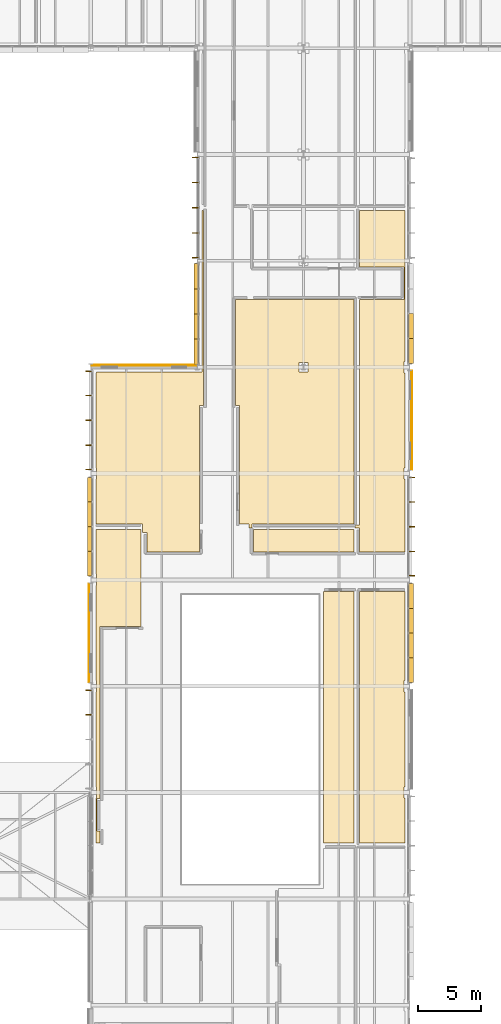
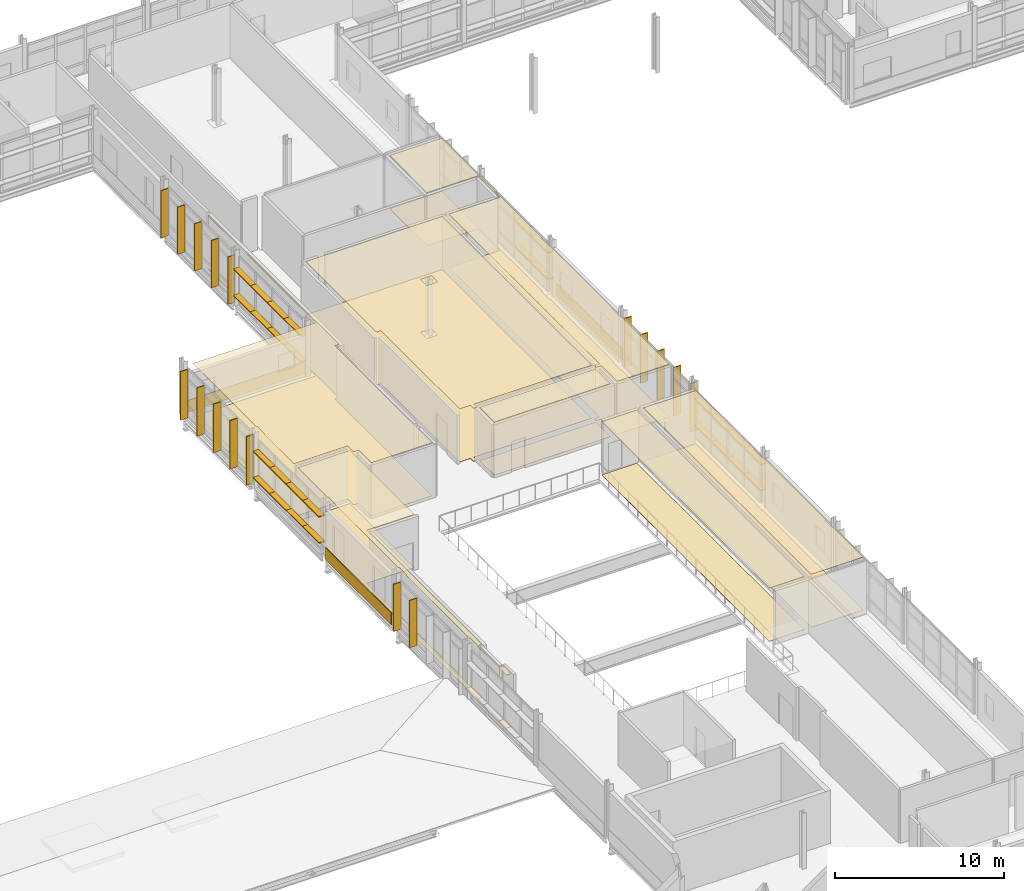
# One storey, part 143 of 151: 45 shading devices, 17 coverings.
"""IFC4 building model written with IfcOpenShell, lengths in metres."""

from ifc_helpers import new_model, si_unit, direction, frame, origin, origin_2d, place, context, subcontext, project, spatial, polyline, rectangle, outline, extrude, material, layer, layer_set, type_object, element, save


model = new_model("IFC4")

# Units and contexts
model_context = context("Model", 3, precision=1e-05, world=origin(), true_north=direction((0.0, 1.0)))
body_context = subcontext(model_context, "Body", "Model", "MODEL_VIEW")
ifc_project = project(units=[si_unit("LENGTHUNIT", "METRE"), si_unit("AREAUNIT", "SQUARE_METRE"), si_unit("VOLUMEUNIT", "CUBIC_METRE"), si_unit("PLANEANGLEUNIT", "RADIAN"), si_unit("MASSUNIT", "GRAM", prefix="KILO")], contexts=[model_context])

# Site, building, storey
site_placement = place(None, origin())
site = spatial("IfcSite", under=ifc_project, at=site_placement, CompositionType="ELEMENT")
building_placement = place(site_placement, origin())
building = spatial("IfcBuilding", under=site, at=building_placement, Name="Mersafa Astral City Hall", CompositionType="ELEMENT")
storey_placement = place(building_placement, frame((0.0, 0.0, 9.89990234375)))
storey = spatial("IfcBuildingStorey", under=building, at=storey_placement, Name="L02", CompositionType="ELEMENT", Elevation=9.89990234375)

# Coverings
ifc_material_1 = material(Name="Cairo Mokattam buff limestone cladding", Category="masonry")
ifc_layer_1 = layer(ifc_material_1, 0.06005859375, Name="Cairo Mokattam buff limestone cladding")
ifc_layer_set_1 = layer_set([ifc_layer_1], Name="Cairo Mokattam buff limestone cladding — ENV-COV-LIMESTONE-60")
covering_type_1 = type_object("IfcCoveringType", Name="ENV-COV-LIMESTONE-60", PredefinedType="CLADDING", material=ifc_layer_set_1)
covering_1_placement = place(storey_placement, frame((117.739501953125, 88.199951171875, 0.0), z_axis=(0.0, 0.0, 1.0), x_axis=(0.0, 1.0, 0.0)))
element("IfcCovering", 1, at=covering_1_placement, inside=storey, type_object=covering_type_1, Name="L02 Cairo buff limestone rainscreen cladding 160", PredefinedType="CLADDING", context=body_context, shape_type="SweptSolid", body=[
    extrude(rectangle(XDim=7.798095703125, YDim=0.06005859375, at=origin_2d()), origin(), (0.0, 0.0, 1.0), 0.860107421875),
])
covering_2_placement = place(storey_placement, frame((96.60009765625, 92.554443359375, 0.0), z_axis=(0.0, 0.0, 1.0), x_axis=(-1.0, 0.0, 0.0)))
element("IfcCovering", 2, at=covering_2_placement, inside=storey, type_object=covering_type_1, Name="L02 Cairo buff limestone rainscreen cladding 206", PredefinedType="CLADDING", context=body_context, shape_type="SweptSolid", body=[
    extrude(rectangle(XDim=8.323974609375, YDim=0.06005859375, at=origin_2d()), origin(), (0.0, 0.0, 1.0), 0.860107421875),
])
covering_3_placement = place(storey_placement, frame((92.2529296875, 71.39990234375, 0.0), z_axis=(0.0, 0.0, 1.0), x_axis=(0.0, -1.0, 0.0)))
element("IfcCovering", 3, at=covering_3_placement, inside=storey, type_object=covering_type_1, Name="L02 Cairo buff limestone rainscreen cladding 207", PredefinedType="CLADDING", context=body_context, shape_type="SweptSolid", body=[
    extrude(rectangle(XDim=7.798095703125, YDim=0.06005859375, at=origin_2d()), origin(), (0.0, 0.0, 1.0), 0.860107421875),
])

# Shading devices
ifc_material_2 = material(Name="Anodised bronze aluminium solar fin", Category="aluminium")
shading_device_type_1 = type_object("IfcShadingDeviceType", Name="ENV-SHD-FIN-500A", PredefinedType="USERDEFINED", material=ifc_material_2)
for number, where, z_axis, x_axis, name in (
    (4, (117.7451171875, 75.9169921875, -0.0146484375), (0.0, 0.0, 1.0), (0.0, 1.0, 0.0), "L02 Vertical bronze solar fin 724"),
    (5, (117.7451171875, 77.843505859375, -0.0146484375), (0.0, 0.0, 1.0), (0.0, 1.0, 0.0), "L02 Vertical bronze solar fin 725"),
    (6, (117.7451171875, 79.800048828125, -0.0146484375), (0.0, 0.0, 1.0), (0.0, 1.0, 0.0), "L02 Vertical bronze solar fin 726"),
    (7, (117.7451171875, 81.756591796875, -0.0146484375), (0.0, 0.0, 1.0), (0.0, 1.0, 0.0), "L02 Vertical bronze solar fin 727"),
    (8, (117.7451171875, 83.68310546875, -0.0146484375), (0.0, 0.0, 1.0), (0.0, 1.0, 0.0), "L02 Vertical bronze solar fin 728"),
):
    element("IfcShadingDevice", number, at=place(storey_placement, frame(where, z_axis=z_axis, x_axis=x_axis)), inside=storey, type_object=shading_device_type_1, Name=name, ObjectType="FIN", PredefinedType="USERDEFINED", context=body_context, shape_type="SweptSolid", body=[
        extrude(rectangle(XDim=0.06005859375, YDim=0.5, at=origin_2d()), origin(), (0.0, 0.0, 1.0), 3.511962890625),
    ])
for number, where, z_axis, x_axis, name in (
    (9, (100.655029296875, 108.9580078125, -0.01513671875), (0.0, 0.0, 1.0), (0.0, -1.0, 0.0), "L02 Vertical bronze solar fin 908"),
    (10, (100.655029296875, 106.993896484375, -0.01513671875), (0.0, 0.0, 1.0), (0.0, -1.0, 0.0), "L02 Vertical bronze solar fin 909"),
    (11, (100.655029296875, 105.0, -0.01513671875), (0.0, 0.0, 1.0), (0.0, -1.0, 0.0), "L02 Vertical bronze solar fin 910"),
    (12, (100.655029296875, 103.006103515625, -0.01513671875), (0.0, 0.0, 1.0), (0.0, -1.0, 0.0), "L02 Vertical bronze solar fin 911"),
    (13, (100.655029296875, 101.0419921875, -0.01513671875), (0.0, 0.0, 1.0), (0.0, -1.0, 0.0), "L02 Vertical bronze solar fin 912"),
):
    element("IfcShadingDevice", number, at=place(storey_placement, frame(where, z_axis=z_axis, x_axis=x_axis)), inside=storey, type_object=shading_device_type_1, Name=name, ObjectType="FIN", PredefinedType="USERDEFINED", context=body_context, shape_type="SweptSolid", body=[
        extrude(rectangle(XDim=0.06005859375, YDim=0.5, at=origin_2d()), origin(), (0.0, 0.0, 1.0), 3.422119140625),
    ])
for number, where, z_axis, x_axis, name in (
    (14, (92.2548828125, 92.0830078125, -0.0146484375), (0.0, 0.0, 1.0), (0.0, -1.0, 0.0), "L02 Vertical bronze solar fin 921"),
    (15, (92.2548828125, 90.156494140625, -0.0146484375), (0.0, 0.0, 1.0), (0.0, -1.0, 0.0), "L02 Vertical bronze solar fin 922"),
    (16, (92.2548828125, 88.199951171875, -0.0146484375), (0.0, 0.0, 1.0), (0.0, -1.0, 0.0), "L02 Vertical bronze solar fin 923"),
    (17, (92.2548828125, 86.243408203125, -0.0146484375), (0.0, 0.0, 1.0), (0.0, -1.0, 0.0), "L02 Vertical bronze solar fin 924"),
    (18, (92.2548828125, 84.31689453125, -0.0146484375), (0.0, 0.0, 1.0), (0.0, -1.0, 0.0), "L02 Vertical bronze solar fin 925"),
):
    element("IfcShadingDevice", number, at=place(storey_placement, frame(where, z_axis=z_axis, x_axis=x_axis)), inside=storey, type_object=shading_device_type_1, Name=name, ObjectType="FIN", PredefinedType="USERDEFINED", context=body_context, shape_type="SweptSolid", body=[
        extrude(rectangle(XDim=0.06005859375, YDim=0.5, at=origin_2d()), origin(), (0.0, 0.0, 1.0), 3.511962890625),
    ])
for number, where, z_axis, x_axis, name in (
    (19, (92.2548828125, 66.883056640625, -0.01513671875), (0.0, 0.0, 1.0), (0.0, -1.0, 0.0), "L02 Vertical bronze solar fin 934"),
    (20, (92.2548828125, 64.95654296875, -0.01513671875), (0.0, 0.0, 1.0), (0.0, -1.0, 0.0), "L02 Vertical bronze solar fin 935"),
):
    element("IfcShadingDevice", number, at=place(storey_placement, frame(where, z_axis=z_axis, x_axis=x_axis)), inside=storey, type_object=shading_device_type_1, Name=name, ObjectType="FIN", PredefinedType="USERDEFINED", context=body_context, shape_type="SweptSolid", body=[
        extrude(rectangle(XDim=0.06005859375, YDim=0.5, at=origin_2d()), origin(), (0.0, 0.0, 1.0), 3.422119140625),
    ])
ifc_material_3 = material(Name="Kiln-dried cedar timber brise-soleil blade", Category="wood")
shading_device_type_2 = type_object("IfcShadingDeviceType", Name="ENV-SHD-LOUVRE-380", PredefinedType="JALOUSIE", material=ifc_material_3)
shading_device_1_placement = place(storey_placement, frame((117.679931640625, 68.480224609375, 0.81494140625), z_axis=(0.0, 0.0, 1.0), x_axis=(0.0, 1.0, 0.0)))
element("IfcShadingDevice", 21, at=shading_device_1_placement, inside=storey, type_object=shading_device_type_2, Name="L02 Horizontal cedar brise-soleil louvre 716", PredefinedType="JALOUSIE", context=body_context, shape_type="SweptSolid", body=[
    extrude(rectangle(XDim=1.966552734375, YDim=0.3798828125, at=origin_2d()), origin(), (0.0, 0.0, 1.0), 0.070068359375),
])
for number, where, z_axis, x_axis, name in (
    (22, (117.679931640625, 70.421875, 0.81494140625), (0.0, 0.0, 1.0), (0.0, 1.0, 0.0), "L02 Horizontal cedar brise-soleil louvre 717"),
    (23, (117.679931640625, 72.378173828125, 0.81494140625), (0.0, 0.0, 1.0), (0.0, 1.0, 0.0), "L02 Horizontal cedar brise-soleil louvre 718"),
):
    element("IfcShadingDevice", number, at=place(storey_placement, frame(where, z_axis=z_axis, x_axis=x_axis)), inside=storey, type_object=shading_device_type_2, Name=name, PredefinedType="JALOUSIE", context=body_context, shape_type="SweptSolid", body=[
        extrude(rectangle(XDim=1.99658203125, YDim=0.3798828125, at=origin_2d()), origin(), (0.0, 0.0, 1.0), 0.070068359375),
    ])
for number, where, z_axis, x_axis, name in (
    (24, (117.679931640625, 74.319580078125, 0.81494140625), (0.0, 0.0, 1.0), (0.0, 1.0, 0.0), "L02 Horizontal cedar brise-soleil louvre 719"),
    (25, (117.679931640625, 68.480224609375, 2.71484375), (0.0, 0.0, 1.0), (0.0, 1.0, 0.0), "L02 Horizontal cedar brise-soleil louvre 720"),
):
    element("IfcShadingDevice", number, at=place(storey_placement, frame(where, z_axis=z_axis, x_axis=x_axis)), inside=storey, type_object=shading_device_type_2, Name=name, PredefinedType="JALOUSIE", context=body_context, shape_type="SweptSolid", body=[
        extrude(rectangle(XDim=1.966552734375, YDim=0.3798828125, at=origin_2d()), origin(), (0.0, 0.0, 1.0), 0.070068359375),
    ])
for number, where, z_axis, x_axis, name in (
    (26, (117.679931640625, 70.421875, 2.71484375), (0.0, 0.0, 1.0), (0.0, 1.0, 0.0), "L02 Horizontal cedar brise-soleil louvre 721"),
    (27, (117.679931640625, 72.378173828125, 2.71484375), (0.0, 0.0, 1.0), (0.0, 1.0, 0.0), "L02 Horizontal cedar brise-soleil louvre 722"),
):
    element("IfcShadingDevice", number, at=place(storey_placement, frame(where, z_axis=z_axis, x_axis=x_axis)), inside=storey, type_object=shading_device_type_2, Name=name, PredefinedType="JALOUSIE", context=body_context, shape_type="SweptSolid", body=[
        extrude(rectangle(XDim=1.99658203125, YDim=0.3798828125, at=origin_2d()), origin(), (0.0, 0.0, 1.0), 0.070068359375),
    ])
shading_device_2_placement = place(storey_placement, frame((117.679931640625, 74.319580078125, 2.71484375), z_axis=(0.0, 0.0, 1.0), x_axis=(0.0, 1.0, 0.0)))
element("IfcShadingDevice", 28, at=shading_device_2_placement, inside=storey, type_object=shading_device_type_2, Name="L02 Horizontal cedar brise-soleil louvre 723", PredefinedType="JALOUSIE", context=body_context, shape_type="SweptSolid", body=[
    extrude(rectangle(XDim=1.966552734375, YDim=0.3798828125, at=origin_2d()), origin(), (0.0, 0.0, 1.0), 0.070068359375),
])
shading_device_3_placement = place(storey_placement, frame((117.679931640625, 93.689697265625, 0.81494140625), z_axis=(0.0, 0.0, 1.0), x_axis=(0.0, 1.0, 0.0)))
element("IfcShadingDevice", 29, at=shading_device_3_placement, inside=storey, type_object=shading_device_type_2, Name="L02 Horizontal cedar brise-soleil louvre 729", PredefinedType="JALOUSIE", context=body_context, shape_type="SweptSolid", body=[
    extrude(rectangle(XDim=1.985107421875, YDim=0.3798828125, at=origin_2d()), origin(), (0.0, 0.0, 1.0), 0.070068359375),
])
shading_device_4_placement = place(storey_placement, frame((117.679931640625, 95.64990234375, 0.81494140625), z_axis=(0.0, 0.0, 1.0), x_axis=(0.0, 1.0, 0.0)))
element("IfcShadingDevice", 30, at=shading_device_4_placement, inside=storey, type_object=shading_device_type_2, Name="L02 Horizontal cedar brise-soleil louvre 730", PredefinedType="JALOUSIE", context=body_context, shape_type="SweptSolid", body=[
    extrude(rectangle(XDim=2.01513671875, YDim=0.3798828125, at=origin_2d()), origin(), (0.0, 0.0, 1.0), 0.070068359375),
])
shading_device_5_placement = place(storey_placement, frame((117.679931640625, 93.689697265625, 2.71484375), z_axis=(0.0, 0.0, 1.0), x_axis=(0.0, 1.0, 0.0)))
element("IfcShadingDevice", 31, at=shading_device_5_placement, inside=storey, type_object=shading_device_type_2, Name="L02 Horizontal cedar brise-soleil louvre 733", PredefinedType="JALOUSIE", context=body_context, shape_type="SweptSolid", body=[
    extrude(rectangle(XDim=1.985107421875, YDim=0.3798828125, at=origin_2d()), origin(), (0.0, 0.0, 1.0), 0.070068359375),
])
shading_device_6_placement = place(storey_placement, frame((117.679931640625, 95.64990234375, 2.71484375), z_axis=(0.0, 0.0, 1.0), x_axis=(0.0, 1.0, 0.0)))
element("IfcShadingDevice", 32, at=shading_device_6_placement, inside=storey, type_object=shading_device_type_2, Name="L02 Horizontal cedar brise-soleil louvre 734", PredefinedType="JALOUSIE", context=body_context, shape_type="SweptSolid", body=[
    extrude(rectangle(XDim=2.01513671875, YDim=0.3798828125, at=origin_2d()), origin(), (0.0, 0.0, 1.0), 0.070068359375),
])
shading_device_7_placement = place(storey_placement, frame((100.719970703125, 99.575927734375, 0.81494140625), z_axis=(0.0, 0.0, 1.0), x_axis=(0.0, -1.0, 0.0)))
element("IfcShadingDevice", 33, at=shading_device_7_placement, inside=storey, type_object=shading_device_type_2, Name="L02 Horizontal cedar brise-soleil louvre 913", PredefinedType="JALOUSIE", context=body_context, shape_type="SweptSolid", body=[
    extrude(rectangle(XDim=2.00390625, YDim=0.3798828125, at=origin_2d()), origin(), (0.0, 0.0, 1.0), 0.070068359375),
])
for number, where, z_axis, x_axis, name in (
    (34, (100.719970703125, 97.596923828125, 0.81494140625), (0.0, 0.0, 1.0), (0.0, -1.0, 0.0), "L02 Horizontal cedar brise-soleil louvre 914"),
    (35, (100.719970703125, 95.60302734375, 0.81494140625), (0.0, 0.0, 1.0), (0.0, -1.0, 0.0), "L02 Horizontal cedar brise-soleil louvre 915"),
):
    element("IfcShadingDevice", number, at=place(storey_placement, frame(where, z_axis=z_axis, x_axis=x_axis)), inside=storey, type_object=shading_device_type_2, Name=name, PredefinedType="JALOUSIE", context=body_context, shape_type="SweptSolid", body=[
        extrude(rectangle(XDim=2.033935546875, YDim=0.3798828125, at=origin_2d()), origin(), (0.0, 0.0, 1.0), 0.070068359375),
    ])
for number, where, z_axis, x_axis, name in (
    (36, (100.719970703125, 93.6240234375, 0.81494140625), (0.0, 0.0, 1.0), (0.0, -1.0, 0.0), "L02 Horizontal cedar brise-soleil louvre 916"),
    (37, (100.719970703125, 99.575927734375, 2.71484375), (0.0, 0.0, 1.0), (0.0, -1.0, 0.0), "L02 Horizontal cedar brise-soleil louvre 917"),
):
    element("IfcShadingDevice", number, at=place(storey_placement, frame(where, z_axis=z_axis, x_axis=x_axis)), inside=storey, type_object=shading_device_type_2, Name=name, PredefinedType="JALOUSIE", context=body_context, shape_type="SweptSolid", body=[
        extrude(rectangle(XDim=2.00390625, YDim=0.3798828125, at=origin_2d()), origin(), (0.0, 0.0, 1.0), 0.070068359375),
    ])
for number, where, z_axis, x_axis, name in (
    (38, (100.719970703125, 97.596923828125, 2.71484375), (0.0, 0.0, 1.0), (0.0, -1.0, 0.0), "L02 Horizontal cedar brise-soleil louvre 918"),
    (39, (100.719970703125, 95.60302734375, 2.71484375), (0.0, 0.0, 1.0), (0.0, -1.0, 0.0), "L02 Horizontal cedar brise-soleil louvre 919"),
):
    element("IfcShadingDevice", number, at=place(storey_placement, frame(where, z_axis=z_axis, x_axis=x_axis)), inside=storey, type_object=shading_device_type_2, Name=name, PredefinedType="JALOUSIE", context=body_context, shape_type="SweptSolid", body=[
        extrude(rectangle(XDim=2.033935546875, YDim=0.3798828125, at=origin_2d()), origin(), (0.0, 0.0, 1.0), 0.070068359375),
    ])
shading_device_8_placement = place(storey_placement, frame((100.719970703125, 93.6240234375, 2.71484375), z_axis=(0.0, 0.0, 1.0), x_axis=(0.0, -1.0, 0.0)))
element("IfcShadingDevice", 40, at=shading_device_8_placement, inside=storey, type_object=shading_device_type_2, Name="L02 Horizontal cedar brise-soleil louvre 920", PredefinedType="JALOUSIE", context=body_context, shape_type="SweptSolid", body=[
    extrude(rectangle(XDim=2.00390625, YDim=0.3798828125, at=origin_2d()), origin(), (0.0, 0.0, 1.0), 0.070068359375),
])
shading_device_9_placement = place(storey_placement, frame((92.320068359375, 82.7197265625, 0.81494140625), z_axis=(0.0, 0.0, 1.0), x_axis=(0.0, -1.0, 0.0)))
element("IfcShadingDevice", 41, at=shading_device_9_placement, inside=storey, type_object=shading_device_type_2, Name="L02 Horizontal cedar brise-soleil louvre 926", PredefinedType="JALOUSIE", context=body_context, shape_type="SweptSolid", body=[
    extrude(rectangle(XDim=1.966552734375, YDim=0.3798828125, at=origin_2d()), origin(), (0.0, 0.0, 1.0), 0.070068359375),
])
for number, where, z_axis, x_axis, name in (
    (42, (92.320068359375, 80.7783203125, 0.81494140625), (0.0, 0.0, 1.0), (0.0, -1.0, 0.0), "L02 Horizontal cedar brise-soleil louvre 927"),
    (43, (92.320068359375, 78.82177734375, 0.81494140625), (0.0, 0.0, 1.0), (0.0, -1.0, 0.0), "L02 Horizontal cedar brise-soleil louvre 928"),
):
    element("IfcShadingDevice", number, at=place(storey_placement, frame(where, z_axis=z_axis, x_axis=x_axis)), inside=storey, type_object=shading_device_type_2, Name=name, PredefinedType="JALOUSIE", context=body_context, shape_type="SweptSolid", body=[
        extrude(rectangle(XDim=1.99658203125, YDim=0.3798828125, at=origin_2d()), origin(), (0.0, 0.0, 1.0), 0.070068359375),
    ])
for number, where, z_axis, x_axis, name in (
    (44, (92.320068359375, 76.88037109375, 0.81494140625), (0.0, 0.0, 1.0), (0.0, -1.0, 0.0), "L02 Horizontal cedar brise-soleil louvre 929"),
    (45, (92.320068359375, 82.7197265625, 2.71484375), (0.0, 0.0, 1.0), (0.0, -1.0, 0.0), "L02 Horizontal cedar brise-soleil louvre 930"),
):
    element("IfcShadingDevice", number, at=place(storey_placement, frame(where, z_axis=z_axis, x_axis=x_axis)), inside=storey, type_object=shading_device_type_2, Name=name, PredefinedType="JALOUSIE", context=body_context, shape_type="SweptSolid", body=[
        extrude(rectangle(XDim=1.966552734375, YDim=0.3798828125, at=origin_2d()), origin(), (0.0, 0.0, 1.0), 0.070068359375),
    ])
for number, where, z_axis, x_axis, name in (
    (46, (92.320068359375, 80.7783203125, 2.71484375), (0.0, 0.0, 1.0), (0.0, -1.0, 0.0), "L02 Horizontal cedar brise-soleil louvre 931"),
    (47, (92.320068359375, 78.82177734375, 2.71484375), (0.0, 0.0, 1.0), (0.0, -1.0, 0.0), "L02 Horizontal cedar brise-soleil louvre 932"),
):
    element("IfcShadingDevice", number, at=place(storey_placement, frame(where, z_axis=z_axis, x_axis=x_axis)), inside=storey, type_object=shading_device_type_2, Name=name, PredefinedType="JALOUSIE", context=body_context, shape_type="SweptSolid", body=[
        extrude(rectangle(XDim=1.99658203125, YDim=0.3798828125, at=origin_2d()), origin(), (0.0, 0.0, 1.0), 0.070068359375),
    ])
shading_device_10_placement = place(storey_placement, frame((92.320068359375, 76.88037109375, 2.71484375), z_axis=(0.0, 0.0, 1.0), x_axis=(0.0, -1.0, 0.0)))
element("IfcShadingDevice", 48, at=shading_device_10_placement, inside=storey, type_object=shading_device_type_2, Name="L02 Horizontal cedar brise-soleil louvre 933", PredefinedType="JALOUSIE", context=body_context, shape_type="SweptSolid", body=[
    extrude(rectangle(XDim=1.966552734375, YDim=0.3798828125, at=origin_2d()), origin(), (0.0, 0.0, 1.0), 0.070068359375),
])

# Coverings
ifc_material_4 = material(Name="Perforated acoustic gypsum board ceiling", Category="gypsum")
ifc_layer_2 = layer(ifc_material_4, 0.02490234375, Name="Perforated acoustic gypsum board ceiling")
ifc_layer_set_2 = layer_set([ifc_layer_2], Name="Perforated acoustic gypsum board ceiling — INT-COV-CEIL-25")
covering_type_2 = type_object("IfcCoveringType", Name="INT-COV-CEIL-25", PredefinedType="CEILING", material=ifc_layer_set_2)
covering_4_placement = place(storey_placement, frame((0.0, 0.0, 3.8310546875)))
element("IfcCovering", 49, at=covering_4_placement, inside=storey, type_object=covering_type_2, Name="L02 GIS & Cadastre Mapping Laboratory L02-08 acoustic ceiling", PredefinedType="CEILING", context=body_context, shape_type="SweptSolid", body=[
    extrude(outline(polyline([(113.280029296875, 79.919921875), (113.6298828125, 79.919921875), (113.6298828125, 97.760009765625), (117.1201171875, 97.760009765625), (117.1201171875, 100.320068359375), (113.6298828125, 100.320068359375), (113.6298828125, 104.77001953125), (117.199951171875, 104.77001953125), (117.199951171875, 92.844970703125), (117.155029296875, 92.844970703125), (117.155029296875, 91.955078125), (117.199951171875, 91.955078125), (117.199951171875, 84.445068359375), (117.155029296875, 84.445068359375), (117.155029296875, 83.554931640625), (117.199951171875, 83.554931640625), (117.199951171875, 77.820068359375), (113.6298828125, 77.820068359375), (113.6298828125, 79.679931640625), (113.280029296875, 79.679931640625), (113.280029296875, 79.919921875)])), origin(), (0.0, 0.0, 1.0), 0.025146484375),
])
covering_5_placement = place(storey_placement, frame((0.0, 0.0, 3.8310546875)))
element("IfcCovering", 50, at=covering_5_placement, inside=storey, type_object=covering_type_2, Name="L02 Library Stack L02-14 acoustic ceiling", PredefinedType="CEILING", context=body_context, shape_type="SweptSolid", body=[
    extrude(outline(polyline([(92.844970703125, 91.955078125), (92.844970703125, 92.0), (101.199951171875, 92.0), (101.199951171875, 104.77001953125), (101.280029296875, 104.77001953125), (101.280029296875, 89.360107421875), (100.989990234375, 89.360107421875), (100.989990234375, 77.820068359375), (96.830078125, 77.820068359375), (96.830078125, 79.330078125), (96.47998046875, 79.330078125), (96.47998046875, 80.030029296875), (92.800048828125, 80.030029296875), (92.800048828125, 83.554931640625), (92.844970703125, 83.554931640625), (92.844970703125, 84.445068359375), (92.800048828125, 84.445068359375), (92.800048828125, 91.955078125), (92.844970703125, 91.955078125)])), origin(), (0.0, 0.0, 1.0), 0.025146484375),
])
covering_6_placement = place(storey_placement, frame((0.0, 0.0, 3.8310546875)))
element("IfcCovering", 51, at=covering_6_placement, inside=storey, type_object=covering_type_2, Name="L02 Municipal Reference Reading Room L02-15 acoustic ceiling", PredefinedType="CEILING", context=body_context, shape_type="SweptSolid", body=[
    extrude(outline(polyline([(113.169921875, 74.679931640625), (113.169921875, 54.830078125), (110.760009765625, 54.830078125), (110.760009765625, 74.679931640625), (113.169921875, 74.679931640625)])), origin(), (0.0, 0.0, 1.0), 0.025146484375),
])
covering_7_placement = place(storey_placement, frame((0.0, 0.0, 3.8310546875)))
element("IfcCovering", 52, at=covering_7_placement, inside=storey, type_object=covering_type_2, Name="L02 Library Stack L02-23 acoustic ceiling", PredefinedType="CEILING", context=body_context, shape_type="SweptSolid", body=[
    extrude(outline(polyline([(92.844970703125, 58.35498046875), (92.844970703125, 59.2451171875), (92.800048828125, 59.2451171875), (92.800048828125, 66.7548828125), (92.844970703125, 66.7548828125), (92.844970703125, 67.64501953125), (92.800048828125, 67.64501953125), (92.800048828125, 75.155029296875), (92.844970703125, 75.155029296875), (92.844970703125, 76.044921875), (92.800048828125, 76.044921875), (92.800048828125, 79.570068359375), (96.3701171875, 79.570068359375), (96.3701171875, 71.929931640625), (93.1298828125, 71.929931640625), (93.1298828125, 58.320068359375), (92.8798828125, 58.320068359375), (92.8798828125, 55.760009765625), (93.1298828125, 55.760009765625), (93.1298828125, 54.830078125), (92.800048828125, 54.830078125), (92.800048828125, 58.35498046875), (92.844970703125, 58.35498046875)])), origin(), (0.0, 0.0, 1.0), 0.025146484375),
])
covering_8_placement = place(storey_placement, frame((0.0, 0.0, 3.8310546875)))
element("IfcCovering", 53, at=covering_8_placement, inside=storey, type_object=covering_type_2, Name="L02 Municipal Reference Reading Room L02-33 acoustic ceiling", PredefinedType="CEILING", context=body_context, shape_type="SweptSolid", body=[
    extrude(outline(polyline([(113.169921875, 79.570068359375), (113.169921875, 77.820068359375), (105.22998046875, 77.820068359375), (105.22998046875, 79.570068359375), (113.169921875, 79.570068359375)])), origin(), (0.0, 0.0, 1.0), 0.025146484375),
])
ifc_material_5 = material(Name="Slatted cedar timber acoustic baffle ceiling", Category="wood")
ifc_layer_3 = layer(ifc_material_5, 0.034912109375, Name="Slatted cedar timber acoustic baffle ceiling")
ifc_layer_set_3 = layer_set([ifc_layer_3], Name="Slatted cedar timber acoustic baffle ceiling — INT-COV-CEIL-35")
covering_type_3 = type_object("IfcCoveringType", Name="INT-COV-CEIL-35", PredefinedType="CEILING", material=ifc_layer_set_3)
covering_9_placement = place(storey_placement, frame((0.0, 0.0, 3.821044921875)))
element("IfcCovering", 54, at=covering_9_placement, inside=storey, type_object=covering_type_3, Name="L02 Press Gallery L02-02 acoustic ceiling", PredefinedType="CEILING", context=body_context, shape_type="SweptSolid", body=[
    extrude(outline(polyline([(113.169921875, 80.030029296875), (105.1201171875, 80.030029296875), (105.1201171875, 79.679931640625), (104.8798828125, 79.679931640625), (104.8798828125, 80.030029296875), (104.1298828125, 80.030029296875), (104.1298828125, 89.360107421875), (103.840087890625, 89.360107421875), (103.840087890625, 97.760009765625), (113.169921875, 97.760009765625), (113.169921875, 80.030029296875)]), holes=[polyline([(109.570068359375, 92.030029296875), (109.570068359375, 92.77001953125), (108.830078125, 92.77001953125), (108.830078125, 92.030029296875), (109.570068359375, 92.030029296875)])]), origin(), (0.0, 0.0, 1.0), 0.03515625),
])
covering_10_placement = place(storey_placement, frame((0.0, 0.0, 3.821044921875)))
element("IfcCovering", 55, at=covering_10_placement, inside=storey, type_object=covering_type_3, Name="L02 Press Gallery L02-11 acoustic ceiling", PredefinedType="CEILING", context=body_context, shape_type="SweptSolid", body=[
    extrude(outline(polyline([(117.199951171875, 54.830078125), (113.6298828125, 54.830078125), (113.6298828125, 74.679931640625), (117.199951171875, 74.679931640625), (117.199951171875, 67.64501953125), (117.155029296875, 67.64501953125), (117.155029296875, 66.7548828125), (117.199951171875, 66.7548828125), (117.199951171875, 59.2451171875), (117.155029296875, 59.2451171875), (117.155029296875, 58.35498046875), (117.199951171875, 58.35498046875), (117.199951171875, 54.830078125)])), origin(), (0.0, 0.0, 1.0), 0.03515625),
])
ifc_material_6 = material(Name="Heavy-duty woven acoustic carpet tile", Category="finish")
ifc_layer_4 = layer(ifc_material_6, 0.014892578125, Name="Heavy-duty woven acoustic carpet tile")
ifc_layer_set_4 = layer_set([ifc_layer_4], Name="Heavy-duty woven acoustic carpet tile — INT-COV-FLR-15")
covering_type_4 = type_object("IfcCoveringType", Name="INT-COV-FLR-15", PredefinedType="FLOORING", material=ifc_layer_set_4)
covering_11_placement = place(storey_placement, frame((0.0, 0.0, -0.00146484375)))
element("IfcCovering", 56, at=covering_11_placement, inside=storey, type_object=covering_type_4, Name="L02 Press Gallery L02-02 architectural flooring", PredefinedType="FLOORING", context=body_context, shape_type="SweptSolid", body=[
    extrude(outline(polyline([(113.169921875, 80.030029296875), (105.1201171875, 80.030029296875), (105.1201171875, 79.679931640625), (104.8798828125, 79.679931640625), (104.8798828125, 80.030029296875), (104.1298828125, 80.030029296875), (104.1298828125, 89.360107421875), (103.840087890625, 89.360107421875), (103.840087890625, 97.760009765625), (113.169921875, 97.760009765625), (113.169921875, 80.030029296875)]), holes=[polyline([(109.570068359375, 92.030029296875), (109.570068359375, 92.77001953125), (108.830078125, 92.77001953125), (108.830078125, 92.030029296875), (109.570068359375, 92.030029296875)])]), origin(), (0.0, 0.0, 1.0), 0.014892578125),
])
covering_12_placement = place(storey_placement, frame((0.0, 0.0, -0.00146484375)))
element("IfcCovering", 57, at=covering_12_placement, inside=storey, type_object=covering_type_4, Name="L02 GIS & Cadastre Mapping Laboratory L02-08 architectural flooring", PredefinedType="FLOORING", context=body_context, shape_type="SweptSolid", body=[
    extrude(outline(polyline([(113.280029296875, 79.919921875), (113.6298828125, 79.919921875), (113.6298828125, 97.760009765625), (117.1201171875, 97.760009765625), (117.1201171875, 100.320068359375), (113.6298828125, 100.320068359375), (113.6298828125, 104.77001953125), (117.199951171875, 104.77001953125), (117.199951171875, 92.844970703125), (117.155029296875, 92.844970703125), (117.155029296875, 91.955078125), (117.199951171875, 91.955078125), (117.199951171875, 84.445068359375), (117.155029296875, 84.445068359375), (117.155029296875, 83.554931640625), (117.199951171875, 83.554931640625), (117.199951171875, 77.820068359375), (113.6298828125, 77.820068359375), (113.6298828125, 79.679931640625), (113.280029296875, 79.679931640625), (113.280029296875, 79.919921875)])), origin(), (0.0, 0.0, 1.0), 0.014892578125),
])
covering_13_placement = place(storey_placement, frame((0.0, 0.0, -0.00146484375)))
element("IfcCovering", 58, at=covering_13_placement, inside=storey, type_object=covering_type_4, Name="L02 Press Gallery L02-11 architectural flooring", PredefinedType="FLOORING", context=body_context, shape_type="SweptSolid", body=[
    extrude(outline(polyline([(117.199951171875, 54.830078125), (113.6298828125, 54.830078125), (113.6298828125, 74.679931640625), (117.199951171875, 74.679931640625), (117.199951171875, 67.64501953125), (117.155029296875, 67.64501953125), (117.155029296875, 66.7548828125), (117.199951171875, 66.7548828125), (117.199951171875, 59.2451171875), (117.155029296875, 59.2451171875), (117.155029296875, 58.35498046875), (117.199951171875, 58.35498046875), (117.199951171875, 54.830078125)])), origin(), (0.0, 0.0, 1.0), 0.014892578125),
])
covering_14_placement = place(storey_placement, frame((0.0, 0.0, -0.00146484375)))
element("IfcCovering", 59, at=covering_14_placement, inside=storey, type_object=covering_type_4, Name="L02 Library Stack L02-14 architectural flooring", PredefinedType="FLOORING", context=body_context, shape_type="SweptSolid", body=[
    extrude(outline(polyline([(92.844970703125, 91.955078125), (92.844970703125, 92.0), (101.199951171875, 92.0), (101.199951171875, 104.77001953125), (101.280029296875, 104.77001953125), (101.280029296875, 89.360107421875), (100.989990234375, 89.360107421875), (100.989990234375, 77.820068359375), (96.830078125, 77.820068359375), (96.830078125, 79.330078125), (96.47998046875, 79.330078125), (96.47998046875, 80.030029296875), (92.800048828125, 80.030029296875), (92.800048828125, 83.554931640625), (92.844970703125, 83.554931640625), (92.844970703125, 84.445068359375), (92.800048828125, 84.445068359375), (92.800048828125, 91.955078125), (92.844970703125, 91.955078125)])), origin(), (0.0, 0.0, 1.0), 0.014892578125),
])
covering_15_placement = place(storey_placement, frame((0.0, 0.0, -0.00146484375)))
element("IfcCovering", 60, at=covering_15_placement, inside=storey, type_object=covering_type_4, Name="L02 Municipal Reference Reading Room L02-15 architectural flooring", PredefinedType="FLOORING", context=body_context, shape_type="SweptSolid", body=[
    extrude(outline(polyline([(113.169921875, 74.679931640625), (113.169921875, 54.830078125), (110.760009765625, 54.830078125), (110.760009765625, 74.679931640625), (113.169921875, 74.679931640625)])), origin(), (0.0, 0.0, 1.0), 0.014892578125),
])
covering_16_placement = place(storey_placement, frame((0.0, 0.0, -0.00146484375)))
element("IfcCovering", 61, at=covering_16_placement, inside=storey, type_object=covering_type_4, Name="L02 Library Stack L02-23 architectural flooring", PredefinedType="FLOORING", context=body_context, shape_type="SweptSolid", body=[
    extrude(outline(polyline([(92.844970703125, 58.35498046875), (92.844970703125, 59.2451171875), (92.800048828125, 59.2451171875), (92.800048828125, 66.7548828125), (92.844970703125, 66.7548828125), (92.844970703125, 67.64501953125), (92.800048828125, 67.64501953125), (92.800048828125, 75.155029296875), (92.844970703125, 75.155029296875), (92.844970703125, 76.044921875), (92.800048828125, 76.044921875), (92.800048828125, 79.570068359375), (96.3701171875, 79.570068359375), (96.3701171875, 71.929931640625), (93.1298828125, 71.929931640625), (93.1298828125, 58.320068359375), (92.8798828125, 58.320068359375), (92.8798828125, 55.760009765625), (93.1298828125, 55.760009765625), (93.1298828125, 54.830078125), (92.800048828125, 54.830078125), (92.800048828125, 58.35498046875), (92.844970703125, 58.35498046875)])), origin(), (0.0, 0.0, 1.0), 0.014892578125),
])
covering_17_placement = place(storey_placement, frame((0.0, 0.0, -0.00146484375)))
element("IfcCovering", 62, at=covering_17_placement, inside=storey, type_object=covering_type_4, Name="L02 Municipal Reference Reading Room L02-33 architectural flooring", PredefinedType="FLOORING", context=body_context, shape_type="SweptSolid", body=[
    extrude(outline(polyline([(113.169921875, 79.570068359375), (113.169921875, 77.820068359375), (105.22998046875, 77.820068359375), (105.22998046875, 79.570068359375), (113.169921875, 79.570068359375)])), origin(), (0.0, 0.0, 1.0), 0.014892578125),
])

save(model, "model.ifc")
